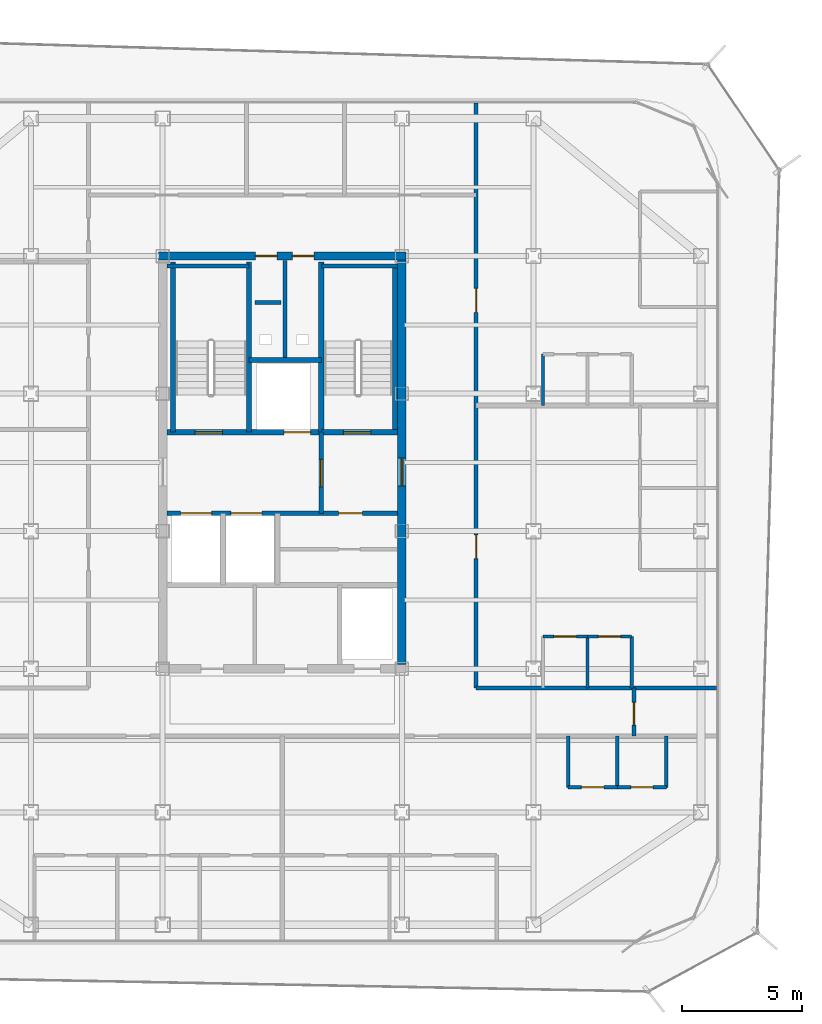
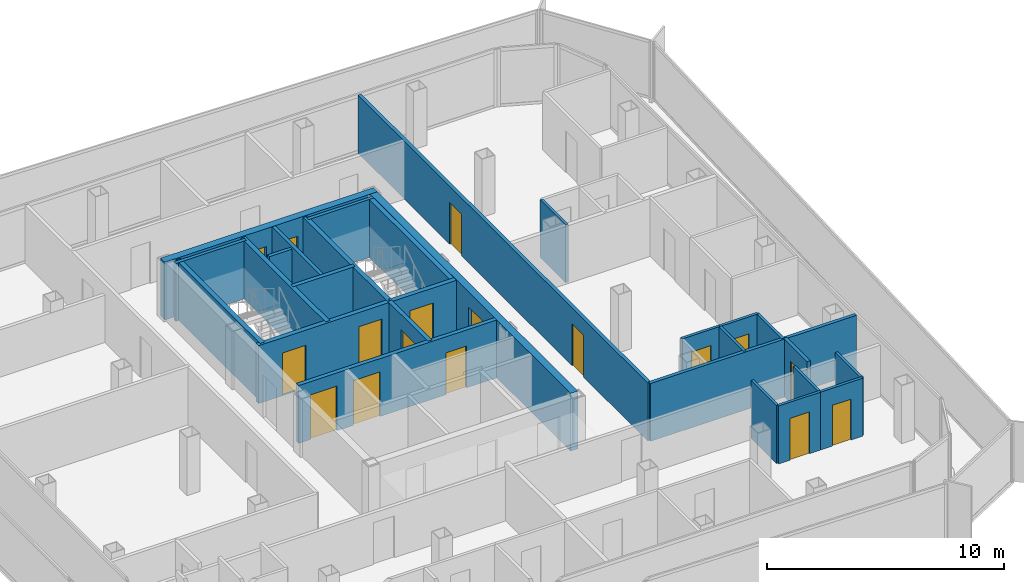
# One storey, part 11 of 15: 29 walls, 17 doors, 17 openings.
"""IFC4 building model written with IfcOpenShell, lengths in metres."""

import ifcopenshell
import ifcopenshell.guid

model = None  # the IFC model being written
_history = None  # IfcOwnerHistory: only IFC2X3 demands one
_inside = {}  # id of a spatial element -> (the spatial element, [elements in it])
_under = {}  # id of a project, library or spatial element -> (it, [spatial elements below it])
_declared = {}  # id of a project -> (the project, [libraries it declares])
_typed = {}  # id of a type object -> (the type object, [elements of that type])
_made_of = {}  # id of a material, layer set ... -> (it, [elements and type objects made of it])


def new_model(schema):
    """Start an empty IFC model of exactly this schema.

    Asked for "IFC4X3", IfcOpenShell would pick the latest addendum, in which some entities
    have other attributes; the version numbers below select the first issue.
    IFC2X3 requires an IfcOwnerHistory on every rooted entity: one is made here for all.
    """
    global model, _history
    if schema == "IFC4X3":
        model = ifcopenshell.file(schema_version=(4, 3, 0, 0))
    else:
        model = ifcopenshell.file(schema=schema)
    _inside.clear()
    _under.clear()
    _declared.clear()
    _typed.clear()
    _made_of.clear()
    _history = None
    if model.schema == "IFC2X3":
        org = make("IfcOrganization", Name="unknown")
        user = make(
            "IfcPersonAndOrganization",
            ThePerson=make("IfcPerson", FamilyName="unknown"),
            TheOrganization=org,
        )
        app = make(
            "IfcApplication",
            ApplicationDeveloper=org,
            Version="unknown",
            ApplicationFullName="unknown",
            ApplicationIdentifier="unknown",
        )
        _history = make(
            "IfcOwnerHistory",
            OwningUser=user,
            OwningApplication=app,
            ChangeAction="ADDED",
            CreationDate=0,
        )
    return model


def make(cls, **values):
    """One entity of the class cls with the attributes given. An attribute that is None is left unset."""
    return model.create_entity(
        cls, **{name: value for name, value in values.items() if value is not None}
    )


def rooted(cls, **values):
    """An entity with a GlobalId (a new one), such as an element, a storey or a relation."""
    return make(cls, GlobalId=ifcopenshell.guid.new(), OwnerHistory=_history, **values)


def si_unit(unit_type, name, prefix=None):
    """IfcSIUnit, for example si_unit("LENGTHUNIT", "METRE", prefix="MILLI")."""
    return make("IfcSIUnit", UnitType=unit_type, Prefix=prefix, Name=name)


def assignment(units):
    """IfcUnitAssignment: the units of a project."""
    return None if units is None else make("IfcUnitAssignment", Units=units)


def point(xyz):
    """IfcCartesianPoint."""
    return None if xyz is None else make("IfcCartesianPoint", Coordinates=xyz)


def direction(xyz):
    """IfcDirection."""
    return None if xyz is None else make("IfcDirection", DirectionRatios=xyz)


def frame(location, z_axis=None, x_axis=None):
    """IfcAxis2Placement3D, a coordinate frame: its origin and axes. An axis left out is left unset."""
    return make(
        "IfcAxis2Placement3D",
        Location=point(location),
        Axis=direction(z_axis),
        RefDirection=direction(x_axis),
    )


def frame_2d(location, x_axis=None):
    """IfcAxis2Placement2D, a coordinate frame in the plane: its origin and x axis."""
    return make(
        "IfcAxis2Placement2D", Location=point(location), RefDirection=direction(x_axis)
    )


def origin():
    """The frame at (0, 0, 0) with its axes left unset."""
    return frame((0.0, 0.0, 0.0))


def place(relative_to, where):
    """IfcLocalPlacement: puts the frame where relative to a parent placement (None: the world)."""
    return make(
        "IfcLocalPlacement", PlacementRelTo=relative_to, RelativePlacement=where
    )


def context(
    kind, dimensions, precision=None, world=None, true_north=None, identifier=None
):
    """IfcGeometricRepresentationContext, for example the 3D "Model" context."""
    return make(
        "IfcGeometricRepresentationContext",
        ContextIdentifier=identifier,
        ContextType=kind,
        CoordinateSpaceDimension=dimensions,
        Precision=precision,
        WorldCoordinateSystem=world,
        TrueNorth=true_north,
    )


def subcontext(parent, identifier, kind, view, scale=None):
    """IfcGeometricRepresentationSubContext, for example "Body" below "Model"."""
    return make(
        "IfcGeometricRepresentationSubContext",
        ContextIdentifier=identifier,
        ContextType=kind,
        ParentContext=parent,
        TargetScale=scale,
        TargetView=view,
    )


def project(units=None, contexts=None):
    """IfcProject with its units and contexts."""
    return rooted(
        "IfcProject",
        Name="project",
        RepresentationContexts=contexts,
        UnitsInContext=assignment(units),
    )


def spatial(cls, under=None, at=None, **own):
    """A site, building, storey or space (cls), placed at a placement, below another one or the project."""
    s = rooted(cls, ObjectPlacement=at, **own)
    if under is not None:
        _under.setdefault(under.id(), (under, []))[1].append(s)
    return s


def profile(cls, at=None, kind="AREA", **sizes):
    """A parametric profile (cls). Its sizes go by their IFC names, for example OverallWidth=200.0."""
    return make(cls, ProfileType=kind, Position=at, **sizes)


def rectangle(**sizes):
    """IfcRectangleProfileDef."""
    return profile("IfcRectangleProfileDef", **sizes)


def extrude(swept, where, along, depth):
    """IfcExtrudedAreaSolid: the profile swept, set in the frame where, extruded along a direction by depth."""
    return make(
        "IfcExtrudedAreaSolid",
        SweptArea=swept,
        Position=where,
        ExtrudedDirection=direction(along),
        Depth=depth,
    )


def shape(context_of_items, identifier, shape_type, items):
    """IfcShapeRepresentation: the items that make up one representation, for example the "Body"."""
    return make(
        "IfcShapeRepresentation",
        ContextOfItems=context_of_items,
        RepresentationIdentifier=identifier,
        RepresentationType=shape_type,
        Items=items,
    )


def material(Name=None, Category=None):
    """IfcMaterial."""
    return make("IfcMaterial", Name=Name, Category=Category)


def layer(
    of_material, thickness, ventilated=None, Name=None, Category=None, Priority=None
):
    """IfcMaterialLayer: one layer of a wall or slab, of a material (None: an air gap)."""
    return make(
        "IfcMaterialLayer",
        Material=of_material,
        LayerThickness=thickness,
        IsVentilated=ventilated,
        Name=Name,
        Category=Category,
        Priority=Priority,
    )


def layer_set(layers, Name=None):
    """IfcMaterialLayerSet."""
    return make("IfcMaterialLayerSet", MaterialLayers=layers, LayerSetName=Name)


def made_of(thing, what):
    """Note that an element or type object is made of a material, layer set ...; save() writes the relation."""
    if what is not None:
        _made_of.setdefault(what.id(), (what, []))[1].append(thing)
    return thing


def type_object(cls, material=None, **own):
    """A type object (cls), such as IfcWallType, which elements share."""
    return made_of(rooted(cls, **own), material)


def element(
    cls,
    number,
    at=None,
    inside=None,
    cuts=None,
    type_object=None,
    material=None,
    context=None,
    identifier="Body",
    shape_type=None,
    held_by="IfcProductDefinitionShape",
    body=None,
    shapes=None,
    **own,
):
    """One element of the class cls, such as IfcWall. Its Tag is "e" and its number.

    at: its placement. inside: the storey or other place that contains it. cuts: it is an
    opening in that element (IfcRelVoidsElement). A single representation is given by context,
    identifier, shape_type and body (its items); several are given by shapes. held_by: the class
    of the entity that holds the representations. save() writes the other relations.
    """
    e = rooted(cls, Tag="e%d" % number, ObjectPlacement=at, **own)
    if body is not None:
        shapes = [shape(context, identifier, shape_type, body)]
    if shapes is not None:
        e.Representation = make(held_by, Representations=shapes)
    if inside is not None:
        _inside.setdefault(inside.id(), (inside, []))[1].append(e)
    if cuts is not None:
        rooted(
            "IfcRelVoidsElement", RelatingBuildingElement=cuts, RelatedOpeningElement=e
        )
    if type_object is not None:
        _typed.setdefault(type_object.id(), (type_object, []))[1].append(e)
    return made_of(e, material)


def fill(opening, filler):
    """IfcRelFillsElement: the door or window that sits in an opening."""
    return rooted(
        "IfcRelFillsElement",
        RelatingOpeningElement=opening,
        RelatedBuildingElement=filler,
    )


def aggregate(whole, parts):
    """IfcRelAggregates: a whole, such as a stair, and the parts it consists of."""
    return rooted("IfcRelAggregates", RelatingObject=whole, RelatedObjects=parts)


def save(model, path):
    """Write the relations noted so far, then the file.

    IfcRelAggregates (storeys below a building ...), IfcRelContainedInSpatialStructure (elements
    in a storey), IfcRelDefinesByType, IfcRelAssociatesMaterial and IfcRelDeclares: one each for
    every whole, place, type object, material and project.
    """
    for whole, parts in _under.values():
        aggregate(whole, parts)
    for where, things in _inside.values():
        rooted(
            "IfcRelContainedInSpatialStructure",
            RelatedElements=things,
            RelatingStructure=where,
        )
    for kind, things in _typed.values():
        rooted("IfcRelDefinesByType", RelatedObjects=things, RelatingType=kind)
    for what, things in _made_of.values():
        rooted("IfcRelAssociatesMaterial", RelatedObjects=things, RelatingMaterial=what)
    for by, libraries in _declared.values():
        rooted("IfcRelDeclares", RelatingContext=by, RelatedDefinitions=libraries)
    model.write(path)


model = new_model("IFC4")

# Units and contexts
model_context = context("Model", 3, precision=1e-05, world=origin(), true_north=direction((0.0, 1.0)))
body_context = subcontext(model_context, "Body", "Model", "MODEL_VIEW")
ifc_project = project(units=[si_unit("LENGTHUNIT", "METRE"), si_unit("AREAUNIT", "SQUARE_METRE"), si_unit("VOLUMEUNIT", "CUBIC_METRE"), si_unit("PLANEANGLEUNIT", "RADIAN"), si_unit("MASSUNIT", "GRAM", prefix="KILO")], contexts=[model_context])

# Site, building, storey
site_placement = place(None, origin())
site = spatial("IfcSite", under=ifc_project, at=site_placement, CompositionType="ELEMENT")
building_placement = place(site_placement, origin())
building = spatial("IfcBuilding", under=site, at=building_placement, Name="Kolveth Station Tower", CompositionType="ELEMENT")
storey_placement = place(building_placement, frame((0.0, 0.0, 242.5)))
storey = spatial("IfcBuildingStorey", under=building, at=storey_placement, Name="L69", CompositionType="ELEMENT", Elevation=242.5)

# Wall, openings, doors
ifc_material_1 = material(Name="Concrete C50/60", Category="concrete")
ifc_layer_1 = layer(ifc_material_1, 0.35009765625)
ifc_layer_set_1 = layer_set([ifc_layer_1], Name="Concrete C50/60")
wall_type_1 = type_object("IfcWallType", Name="Wall_CW-350", PredefinedType="SHEAR", material=ifc_layer_set_1)
wall_1_placement = place(storey_placement, frame((18.324951171875, 28.75, 0.0), z_axis=(0.0, 0.0, 1.0), x_axis=(1.0, 0.0, 0.0)))
wall_1 = element("IfcWall", 1, at=wall_1_placement, inside=storey, type_object=wall_type_1, Name="L69 Core RC Shear Wall N", PredefinedType="SHEAR", context=body_context, shape_type="SweptSolid", body=[
    extrude(rectangle(XDim=10.35009765625, YDim=0.35009765625, at=frame_2d((5.175048828125, 0.0))), origin(), (0.0, 0.0, 1.0), 2.97998046875),
])
opening_1_placement = place(wall_1_placement, frame((4.054931640625, 0.0, 0.0)))
opening_1 = element("IfcOpeningElement", 2, at=opening_1_placement, cuts=wall_1, Name="Opening RD1", PredefinedType="OPENING", context=body_context, shape_type="SweptSolid", body=[
    extrude(rectangle(XDim=0.89990234375, YDim=2.050048828125, at=frame_2d((0.449951171875, 1.02490234375))), frame((0.0, 0.18505859375, 0.0), z_axis=(0.0, -1.0, 0.0), x_axis=(1.0, 0.0, 0.0)), (0.0, 0.0, 1.0), 0.3701171875),
])
opening_2_placement = place(wall_1_placement, frame((5.594970703125, 0.0, 0.0)))
opening_2 = element("IfcOpeningElement", 3, at=opening_2_placement, cuts=wall_1, Name="Opening RD1", PredefinedType="OPENING", context=body_context, shape_type="SweptSolid", body=[
    extrude(rectangle(XDim=0.89990234375, YDim=2.050048828125, at=frame_2d((0.449951171875, 1.02490234375))), frame((0.0, 0.18505859375, 0.0), z_axis=(0.0, -1.0, 0.0), x_axis=(1.0, 0.0, 0.0)), (0.0, 0.0, 1.0), 0.3701171875),
])
ifc_material_2 = material(Name="Fire-rated Steel S355 riser access leaf", Category="steel")
door_type_1 = type_object("IfcDoorType", Name="Door_RD1", OperationType="NOTDEFINED", PredefinedType="DOOR", material=ifc_material_2)
door_1_placement = place(opening_1_placement, origin())
door_1 = element("IfcDoor", 4, at=door_1_placement, inside=storey, type_object=door_type_1, Name="L69 Electrical Riser Access Door", OperationType="SINGLE_SWING_LEFT", OverallHeight=2.050048828125, OverallWidth=0.89990234375, PredefinedType="DOOR", context=body_context, shape_type="SweptSolid", body=[
    extrude(rectangle(XDim=0.89990234375, YDim=2.050048828125, at=frame_2d((0.449951171875, 1.02490234375))), frame((0.0, 0.02490234375, 0.0), z_axis=(0.0, -1.0, 0.0), x_axis=(1.0, 0.0, 0.0)), (0.0, 0.0, 1.0), 0.050048828125),
])
fill(opening_1, door_1)
door_2_placement = place(opening_2_placement, origin())
door_2 = element("IfcDoor", 5, at=door_2_placement, inside=storey, type_object=door_type_1, Name="L69 Smoke Duct Access Door", OperationType="SINGLE_SWING_RIGHT", OverallHeight=2.050048828125, OverallWidth=0.89990234375, PredefinedType="DOOR", context=body_context, shape_type="SweptSolid", body=[
    extrude(rectangle(XDim=0.89990234375, YDim=2.050048828125, at=frame_2d((0.449951171875, 1.02490234375))), frame((0.0, 0.02490234375, 0.0), z_axis=(0.0, -1.0, 0.0), x_axis=(1.0, 0.0, 0.0)), (0.0, 0.0, 1.0), 0.050048828125),
])
fill(opening_2, door_2)

# Wall, opening, door
wall_2_placement = place(storey_placement, frame((28.5, 11.675048828125, 0.0), z_axis=(0.0, 0.0, 1.0), x_axis=(0.0, 1.0, 0.0)))
wall_2 = element("IfcWall", 6, at=wall_2_placement, inside=storey, type_object=wall_type_1, Name="L69 Core RC Shear Wall E", PredefinedType="SHEAR", context=body_context, shape_type="SweptSolid", body=[
    extrude(rectangle(XDim=16.89990234375, YDim=0.35009765625, at=frame_2d((8.449951171875, 0.0))), origin(), (0.0, 0.0, 1.0), 2.97998046875),
])
opening_3_placement = place(wall_2_placement, frame((7.47509765625, 0.0, 0.0)))
opening_3 = element("IfcOpeningElement", 7, at=opening_3_placement, cuts=wall_2, Name="Opening FD1", PredefinedType="OPENING", context=body_context, shape_type="SweptSolid", body=[
    extrude(rectangle(XDim=1.14990234375, YDim=2.199951171875, at=frame_2d((0.574951171875, 1.10009765625))), frame((0.0, 0.18505859375, 0.0), z_axis=(0.0, -1.0, 0.0), x_axis=(1.0, 0.0, 0.0)), (0.0, 0.0, 1.0), 0.3701171875),
])
ifc_material_3 = material(Name="Fire-rated Steel S355 leaf and frame", Category="steel")
door_type_2 = type_object("IfcDoorType", Name="Door_FD1", OperationType="NOTDEFINED", PredefinedType="DOOR", material=ifc_material_3)
door_3_placement = place(opening_3_placement, origin())
door_3 = element("IfcDoor", 8, at=door_3_placement, inside=storey, type_object=door_type_2, Name="L69 East Corridor to Stair Lobby Door", OperationType="SINGLE_SWING_LEFT", OverallHeight=2.199951171875, OverallWidth=1.14990234375, PredefinedType="DOOR", context=body_context, shape_type="SweptSolid", body=[
    extrude(rectangle(XDim=1.14990234375, YDim=2.199951171875, at=frame_2d((0.574951171875, 1.10009765625))), frame((0.0, 0.02490234375, 0.0), z_axis=(0.0, -1.0, 0.0), x_axis=(1.0, 0.0, 0.0)), (0.0, 0.0, 1.0), 0.050048828125),
])
fill(opening_3, door_3)

ifc_material_4 = material(Name="Moisture-resistant gypsum partition")
ifc_layer_2 = layer(ifc_material_4, 0.135009765625)
ifc_layer_set_2 = layer_set([ifc_layer_2], Name="Moisture-resistant gypsum partition")
wall_type_2 = type_object("IfcWallType", Name="Wall_IW-135", PredefinedType="PARTITIONING", material=ifc_layer_set_2)
wall_3_placement = place(storey_placement, frame((35.449951171875, 6.550048828125, 0.0), z_axis=(0.0, 0.0, 1.0), x_axis=(1.0, 0.0, 0.0)))
wall_3 = element("IfcWall", 9, at=wall_3_placement, inside=storey, type_object=wall_type_2, Name="L69 Partition Wall WL-L69-A2-IBHK", PredefinedType="PARTITIONING", context=body_context, shape_type="SweptSolid", body=[
    extrude(rectangle(XDim=2.050048828125, YDim=0.135009765625, at=frame_2d((1.02490234375, 0.0))), origin(), (0.0, 0.0, 1.0), 2.97998046875),
])
opening_4_placement = place(wall_3_placement, frame((0.544921875, 0.0, 0.0)))
opening_4 = element("IfcOpeningElement", 10, at=opening_4_placement, cuts=wall_3, Name="Opening ID1", PredefinedType="OPENING", context=body_context, shape_type="SweptSolid", body=[
    extrude(rectangle(XDim=0.949951171875, YDim=2.14990234375, at=frame_2d((0.47509765625, 1.074951171875))), frame((0.0, 0.077392578125, 0.0), z_axis=(0.0, -1.0, 0.0), x_axis=(1.0, 0.0, 0.0)), (0.0, 0.0, 1.0), 0.155029296875),
])
ifc_material_5 = material(Name="Acoustic hardwood leaf and aluminium frame", Category="wood")
door_type_3 = type_object("IfcDoorType", Name="Door_ID1", OperationType="NOTDEFINED", PredefinedType="DOOR", material=ifc_material_5)
door_4_placement = place(opening_4_placement, origin())
door_4 = element("IfcDoor", 11, at=door_4_placement, inside=storey, type_object=door_type_3, Name="Penthouse Flat L69-A2 Kitchen Door", OperationType="SINGLE_SWING_LEFT", OverallHeight=2.14990234375, OverallWidth=0.949951171875, PredefinedType="DOOR", context=body_context, shape_type="SweptSolid", body=[
    extrude(rectangle(XDim=0.949951171875, YDim=2.14990234375, at=frame_2d((0.47509765625, 1.074951171875))), frame((0.0, 0.02490234375, 0.0), z_axis=(0.0, -1.0, 0.0), x_axis=(1.0, 0.0, 0.0)), (0.0, 0.0, 1.0), 0.050048828125),
])
fill(opening_4, door_4)

wall_4_placement = place(storey_placement, frame((37.5, 6.550048828125, 0.0), z_axis=(0.0, 0.0, 1.0), x_axis=(1.0, 0.0, 0.0)))
wall_4 = element("IfcWall", 12, at=wall_4_placement, inside=storey, type_object=wall_type_2, Name="L69 Partition Wall WL-L69-A2-IBHB", PredefinedType="PARTITIONING", context=body_context, shape_type="SweptSolid", body=[
    extrude(rectangle(XDim=2.050048828125, YDim=0.135009765625, at=frame_2d((1.02490234375, 0.0))), origin(), (0.0, 0.0, 1.0), 2.97998046875),
])
opening_5_placement = place(wall_4_placement, frame((0.56494140625, 0.0, 0.0)))
opening_5 = element("IfcOpeningElement", 13, at=opening_5_placement, cuts=wall_4, Name="Opening ID2", PredefinedType="OPENING", context=body_context, shape_type="SweptSolid", body=[
    extrude(rectangle(XDim=0.919921875, YDim=2.10009765625, at=frame_2d((0.4599609375, 1.050048828125))), frame((0.0, 0.077392578125, 0.0), z_axis=(0.0, -1.0, 0.0), x_axis=(1.0, 0.0, 0.0)), (0.0, 0.0, 1.0), 0.155029296875),
])
ifc_material_6 = material(Name="Moisture-resistant hardwood leaf", Category="wood")
door_type_4 = type_object("IfcDoorType", Name="Door_ID2", OperationType="NOTDEFINED", PredefinedType="DOOR", material=ifc_material_6)
door_5_placement = place(opening_5_placement, origin())
door_5 = element("IfcDoor", 14, at=door_5_placement, inside=storey, type_object=door_type_4, Name="Penthouse Flat L69-A2 Bathroom Door", OperationType="SINGLE_SWING_RIGHT", OverallHeight=2.10009765625, OverallWidth=0.919921875, PredefinedType="DOOR", context=body_context, shape_type="SweptSolid", body=[
    extrude(rectangle(XDim=0.919921875, YDim=2.10009765625, at=frame_2d((0.4599609375, 1.050048828125))), frame((0.0, 0.02490234375, 0.0), z_axis=(0.0, -1.0, 0.0), x_axis=(1.0, 0.0, 0.0)), (0.0, 0.0, 1.0), 0.050048828125),
])
fill(opening_5, door_5)

# Walls
for number, where, z_axis, x_axis, name in (
    (15, (35.449951171875, 6.550048828125, 0.0), (0.0, 0.0, 1.0), (0.0, 1.0, 0.0), "L69 Partition Wall WL-L69-A2-IBV0"),
    (16, (37.5, 6.550048828125, 0.0), (0.0, 0.0, 1.0), (0.0, 1.0, 0.0), "L69 Partition Wall WL-L69-A2-IBV1"),
    (17, (39.550048828125, 6.550048828125, 0.0), (0.0, 0.0, 1.0), (0.0, 1.0, 0.0), "L69 Partition Wall WL-L69-A2-IBV2"),
):
    element("IfcWall", number, at=place(storey_placement, frame(where, z_axis=z_axis, x_axis=x_axis)), inside=storey, type_object=wall_type_2, Name=name, PredefinedType="PARTITIONING", context=body_context, shape_type="SweptSolid", body=[
        extrude(rectangle(XDim=2.14990234375, YDim=0.135009765625, at=frame_2d((1.074951171875, 0.0))), origin(), (0.0, 0.0, 1.0), 2.97998046875),
    ])

# Wall, opening, door
wall_5_placement = place(storey_placement, frame((34.39990234375, 12.85009765625, 0.0), z_axis=(0.0, 0.0, 1.0), x_axis=(1.0, 0.0, 0.0)))
wall_5 = element("IfcWall", 18, at=wall_5_placement, inside=storey, type_object=wall_type_2, Name="L69 Partition Wall WL-L69-E1-IBHK", PredefinedType="PARTITIONING", context=body_context, shape_type="SweptSolid", body=[
    extrude(rectangle(XDim=1.85009765625, YDim=0.135009765625, at=frame_2d((0.925048828125, 0.0))), origin(), (0.0, 0.0, 1.0), 2.97998046875),
])
opening_6_placement = place(wall_5_placement, frame((0.445068359375, 0.0, 0.0)))
opening_6 = element("IfcOpeningElement", 19, at=opening_6_placement, cuts=wall_5, Name="Opening ID1", PredefinedType="OPENING", context=body_context, shape_type="SweptSolid", body=[
    extrude(rectangle(XDim=0.949951171875, YDim=2.14990234375, at=frame_2d((0.47509765625, 1.074951171875))), frame((0.0, 0.077392578125, 0.0), z_axis=(0.0, -1.0, 0.0), x_axis=(1.0, 0.0, 0.0)), (0.0, 0.0, 1.0), 0.155029296875),
])
door_6_placement = place(opening_6_placement, origin())
door_6 = element("IfcDoor", 20, at=door_6_placement, inside=storey, type_object=door_type_3, Name="Penthouse Flat L69-E1 Kitchen Door", OperationType="SINGLE_SWING_LEFT", OverallHeight=2.14990234375, OverallWidth=0.949951171875, PredefinedType="DOOR", context=body_context, shape_type="SweptSolid", body=[
    extrude(rectangle(XDim=0.949951171875, YDim=2.14990234375, at=frame_2d((0.47509765625, 1.074951171875))), frame((0.0, 0.02490234375, 0.0), z_axis=(0.0, -1.0, 0.0), x_axis=(1.0, 0.0, 0.0)), (0.0, 0.0, 1.0), 0.050048828125),
])
fill(opening_6, door_6)

wall_6_placement = place(storey_placement, frame((36.25, 12.85009765625, 0.0), z_axis=(0.0, 0.0, 1.0), x_axis=(1.0, 0.0, 0.0)))
wall_6 = element("IfcWall", 21, at=wall_6_placement, inside=storey, type_object=wall_type_2, Name="L69 Partition Wall WL-L69-E1-IBHB", PredefinedType="PARTITIONING", context=body_context, shape_type="SweptSolid", body=[
    extrude(rectangle(XDim=1.85009765625, YDim=0.135009765625, at=frame_2d((0.925048828125, 0.0))), origin(), (0.0, 0.0, 1.0), 2.97998046875),
])
opening_7_placement = place(wall_6_placement, frame((0.465087890625, 0.0, 0.0)))
opening_7 = element("IfcOpeningElement", 22, at=opening_7_placement, cuts=wall_6, Name="Opening ID2", PredefinedType="OPENING", context=body_context, shape_type="SweptSolid", body=[
    extrude(rectangle(XDim=0.919921875, YDim=2.10009765625, at=frame_2d((0.4599609375, 1.050048828125))), frame((0.0, 0.077392578125, 0.0), z_axis=(0.0, -1.0, 0.0), x_axis=(1.0, 0.0, 0.0)), (0.0, 0.0, 1.0), 0.155029296875),
])
door_7_placement = place(opening_7_placement, origin())
door_7 = element("IfcDoor", 23, at=door_7_placement, inside=storey, type_object=door_type_4, Name="Penthouse Flat L69-E1 Bathroom Door", OperationType="SINGLE_SWING_RIGHT", OverallHeight=2.10009765625, OverallWidth=0.919921875, PredefinedType="DOOR", context=body_context, shape_type="SweptSolid", body=[
    extrude(rectangle(XDim=0.919921875, YDim=2.10009765625, at=frame_2d((0.4599609375, 1.050048828125))), frame((0.0, 0.02490234375, 0.0), z_axis=(0.0, -1.0, 0.0), x_axis=(1.0, 0.0, 0.0)), (0.0, 0.0, 1.0), 0.050048828125),
])
fill(opening_7, door_7)

# Walls
for number, where, z_axis, x_axis, name in (
    (24, (36.25, 10.699951171875, 0.0), (0.0, 0.0, 1.0), (0.0, 1.0, 0.0), "L69 Partition Wall WL-L69-E1-IBV1"),
    (25, (38.10009765625, 10.699951171875, 0.0), (0.0, 0.0, 1.0), (0.0, 1.0, 0.0), "L69 Partition Wall WL-L69-E1-IBV2"),
):
    element("IfcWall", number, at=place(storey_placement, frame(where, z_axis=z_axis, x_axis=x_axis)), inside=storey, type_object=wall_type_2, Name=name, PredefinedType="PARTITIONING", context=body_context, shape_type="SweptSolid", body=[
        extrude(rectangle(XDim=2.150146484375, YDim=0.135009765625, at=frame_2d((1.0751953125, 0.0))), origin(), (0.0, 0.0, 1.0), 2.97998046875),
    ])
wall_7_placement = place(storey_placement, frame((34.39990234375, 22.5, 0.0), z_axis=(0.0, 0.0, 1.0), x_axis=(0.0, 1.0, 0.0)))
element("IfcWall", 26, at=wall_7_placement, inside=storey, type_object=wall_type_2, Name="L69 Partition Wall WL-L69-E2-IBV0", PredefinedType="PARTITIONING", context=body_context, shape_type="SweptSolid", body=[
    extrude(rectangle(XDim=2.14990234375, YDim=0.135009765625, at=frame_2d((1.074951171875, 0.0))), origin(), (0.0, 0.0, 1.0), 2.97998046875),
])
ifc_material_7 = material(Name="Acoustic double-stud gypsum partition")
ifc_layer_3 = layer(ifc_material_7, 0.1650390625)
ifc_layer_set_3 = layer_set([ifc_layer_3], Name="Acoustic double-stud gypsum partition")
wall_type_3 = type_object("IfcWallType", Name="Wall_IW-165", PredefinedType="PARTITIONING", material=ifc_layer_set_3)
wall_8_placement = place(storey_placement, frame((18.68505859375, 28.3349609375, 0.0), z_axis=(0.0, 0.0, 1.0), x_axis=(1.0, 0.0, 0.0)))
element("IfcWall", 27, at=wall_8_placement, inside=storey, type_object=wall_type_3, Name="L69 Stair Shaft Wall WL-L69-ST1-N", PredefinedType="PARTITIONING", context=body_context, shape_type="SweptSolid", body=[
    extrude(rectangle(XDim=3.425048828125, YDim=0.1650390625, at=frame_2d((1.71240234375, 0.0))), origin(), (0.0, 0.0, 1.0), 2.97998046875),
])
wall_9_placement = place(storey_placement, frame((25.1298828125, 28.3349609375, 0.0), z_axis=(0.0, 0.0, 1.0), x_axis=(1.0, 0.0, 0.0)))
element("IfcWall", 28, at=wall_9_placement, inside=storey, type_object=wall_type_3, Name="L69 Stair Shaft Wall WL-L69-ST2-N", PredefinedType="PARTITIONING", context=body_context, shape_type="SweptSolid", body=[
    extrude(rectangle(XDim=3.18505859375, YDim=0.1650390625, at=frame_2d((1.592529296875, 0.0))), origin(), (0.0, 0.0, 1.0), 2.97998046875),
])
wall_10_placement = place(storey_placement, frame((23.6201171875, 24.39990234375, 0.0), z_axis=(0.0, 0.0, 1.0), x_axis=(0.0, 1.0, 0.0)))
element("IfcWall", 29, at=wall_10_placement, inside=storey, type_object=wall_type_3, Name="L69 Partition Wall WL-L69-RSR-M", PredefinedType="PARTITIONING", context=body_context, shape_type="SweptSolid", body=[
    extrude(rectangle(XDim=4.1650390625, YDim=0.1650390625, at=frame_2d((2.08251953125, 0.0))), origin(), (0.0, 0.0, 1.0), 2.97998046875),
])
wall_11_placement = place(storey_placement, frame((31.60009765625, 10.699951171875, 0.0), z_axis=(0.0, 0.0, 1.0), x_axis=(1.0, 0.0, 0.0)))
element("IfcWall", 30, at=wall_11_placement, inside=storey, type_object=wall_type_3, Name="L69 Partition Wall WL-L69-RSET", PredefinedType="PARTITIONING", context=body_context, shape_type="SweptSolid", body=[
    extrude(rectangle(XDim=6.599853515625, YDim=0.1650390625, at=frame_2d((3.2998046875, 0.0))), origin(), (0.0, 0.0, 1.0), 2.97998046875),
])

# Wall, opening, door
wall_12_placement = place(storey_placement, frame((38.199951171875, 8.699951171875, 0.0), z_axis=(0.0, 0.0, 1.0), x_axis=(0.0, 1.0, 0.0)))
wall_12 = element("IfcWall", 31, at=wall_12_placement, inside=storey, type_object=wall_type_3, Name="L69 Partition Wall WL-L69-RSEE", PredefinedType="PARTITIONING", context=body_context, shape_type="SweptSolid", body=[
    extrude(rectangle(XDim=2.0, YDim=0.1650390625, at=frame_2d((1.0, 0.0))), origin(), (0.0, 0.0, 1.0), 2.97998046875),
])
opening_8_placement = place(wall_12_placement, frame((0.449951171875, 0.0, 0.0)))
opening_8 = element("IfcOpeningElement", 32, at=opening_8_placement, cuts=wall_12, Name="Opening ID1", PredefinedType="OPENING", context=body_context, shape_type="SweptSolid", body=[
    extrude(rectangle(XDim=0.949951171875, YDim=2.14990234375, at=frame_2d((0.47509765625, 1.074951171875))), frame((0.0, 0.092529296875, 0.0), z_axis=(0.0, -1.0, 0.0), x_axis=(1.0, 0.0, 0.0)), (0.0, 0.0, 1.0), 0.18505859375),
])
door_8_placement = place(opening_8_placement, origin())
door_8 = element("IfcDoor", 33, at=door_8_placement, inside=storey, type_object=door_type_3, Name="L69 Hobby Study Door", OperationType="SINGLE_SWING_LEFT", OverallHeight=2.14990234375, OverallWidth=0.949951171875, PredefinedType="DOOR", context=body_context, shape_type="SweptSolid", body=[
    extrude(rectangle(XDim=0.949951171875, YDim=2.14990234375, at=frame_2d((0.47509765625, 1.074951171875))), frame((0.0, 0.02490234375, 0.0), z_axis=(0.0, -1.0, 0.0), x_axis=(1.0, 0.0, 0.0)), (0.0, 0.0, 1.0), 0.050048828125),
])
fill(opening_8, door_8)

# Wall, openings, doors
wall_13_placement = place(storey_placement, frame((31.60009765625, 10.699951171875, 0.0), z_axis=(0.0, 0.0, 1.0), x_axis=(0.0, 1.0, 0.0)))
wall_13 = element("IfcWall", 34, at=wall_13_placement, inside=storey, type_object=wall_type_3, Name="L69 Partition Wall WL-L69-RE", PredefinedType="PARTITIONING", context=body_context, shape_type="SweptSolid", body=[
    extrude(rectangle(XDim=24.43994140625, YDim=0.1650390625, at=frame_2d((12.219970703125, 0.0))), origin(), (0.0, 0.0, 1.0), 2.97998046875),
])
opening_9_placement = place(wall_13_placement, frame((5.39990234375, 0.0, 0.0)))
opening_9 = element("IfcOpeningElement", 35, at=opening_9_placement, cuts=wall_13, Name="Opening FD3", PredefinedType="OPENING", context=body_context, shape_type="SweptSolid", body=[
    extrude(rectangle(XDim=1.0, YDim=2.14990234375, at=frame_2d((0.5, 1.074951171875))), frame((0.0, 0.092529296875, 0.0), z_axis=(0.0, -1.0, 0.0), x_axis=(1.0, 0.0, 0.0)), (0.0, 0.0, 1.0), 0.18505859375),
])
opening_10_placement = place(wall_13_placement, frame((15.699951171875, 0.0, 0.0)))
opening_10 = element("IfcOpeningElement", 36, at=opening_10_placement, cuts=wall_13, Name="Opening FD3", PredefinedType="OPENING", context=body_context, shape_type="SweptSolid", body=[
    extrude(rectangle(XDim=1.0, YDim=2.14990234375, at=frame_2d((0.5, 1.074951171875))), frame((0.0, 0.092529296875, 0.0), z_axis=(0.0, -1.0, 0.0), x_axis=(1.0, 0.0, 0.0)), (0.0, 0.0, 1.0), 0.18505859375),
])
ifc_material_8 = material(Name="Fire-rated hardwood leaf and aluminium frame", Category="wood")
door_type_5 = type_object("IfcDoorType", Name="Door_FD3", OperationType="NOTDEFINED", PredefinedType="DOOR", material=ifc_material_8)
door_9_placement = place(opening_9_placement, frame((1.0, 0.0, 0.0), z_axis=(0.0, 0.0, 1.0), x_axis=(-1.0, 0.0, 0.0)))
door_9 = element("IfcDoor", 37, at=door_9_placement, inside=storey, type_object=door_type_5, Name="Penthouse Flat L69-E1 Entrance Door", OperationType="SINGLE_SWING_LEFT", OverallHeight=2.14990234375, OverallWidth=1.0, PredefinedType="DOOR", context=body_context, shape_type="SweptSolid", body=[
    extrude(rectangle(XDim=1.0, YDim=2.14990234375, at=frame_2d((0.5, 1.074951171875))), frame((0.0, 0.02490234375, 0.0), z_axis=(0.0, -1.0, 0.0), x_axis=(1.0, 0.0, 0.0)), (0.0, 0.0, 1.0), 0.050048828125),
])
fill(opening_9, door_9)
door_10_placement = place(opening_10_placement, frame((1.0, 0.0, 0.0), z_axis=(0.0, 0.0, 1.0), x_axis=(-1.0, 0.0, 0.0)))
door_10 = element("IfcDoor", 38, at=door_10_placement, inside=storey, type_object=door_type_5, Name="Penthouse Flat L69-E2 Entrance Door", OperationType="SINGLE_SWING_LEFT", OverallHeight=2.14990234375, OverallWidth=1.0, PredefinedType="DOOR", context=body_context, shape_type="SweptSolid", body=[
    extrude(rectangle(XDim=1.0, YDim=2.14990234375, at=frame_2d((0.5, 1.074951171875))), frame((0.0, 0.02490234375, 0.0), z_axis=(0.0, -1.0, 0.0), x_axis=(1.0, 0.0, 0.0)), (0.0, 0.0, 1.0), 0.050048828125),
])
fill(opening_10, door_10)

# Walls
wall_14_placement = place(storey_placement, frame((38.199951171875, 10.699951171875, 0.0), z_axis=(0.0, 0.0, 1.0), x_axis=(1.0, 0.0, 0.0)))
element("IfcWall", 39, at=wall_14_placement, inside=storey, type_object=wall_type_3, Name="L69 Partition Wall WL-L69-ESTN", PredefinedType="PARTITIONING", context=body_context, shape_type="SweptSolid", body=[
    extrude(rectangle(XDim=3.43994140625, YDim=0.1650390625, at=frame_2d((1.719970703125, 0.0))), origin(), (0.0, 0.0, 1.0), 2.97998046875),
])
wall_15_placement = place(storey_placement, frame((22.35009765625, 26.800048828125, 0.0), z_axis=(0.0, 0.0, 1.0), x_axis=(1.0, 0.0, 0.0)))
element("IfcWall", 40, at=wall_15_placement, inside=storey, type_object=wall_type_3, Name="L69 Acoustic Riser Dry-Lining Wall", PredefinedType="PARTITIONING", context=body_context, shape_type="SweptSolid", body=[
    extrude(rectangle(XDim=1.099853515625, YDim=0.1650390625, at=frame_2d((0.5498046875, 0.0))), origin(), (0.0, 0.0, 1.0), 2.97998046875),
])
ifc_material_9 = material(Name="Acoustic fire-rated gypsum blockwork", Category="masonry")
ifc_layer_4 = layer(ifc_material_9, 0.199951171875)
ifc_layer_set_4 = layer_set([ifc_layer_4], Name="Acoustic fire-rated gypsum blockwork")
wall_type_4 = type_object("IfcWallType", Name="Wall_IW-200", PredefinedType="PARTITIONING", material=ifc_layer_set_4)
wall_16_placement = place(storey_placement, frame((22.110107421875, 24.39990234375, 0.0), z_axis=(0.0, 0.0, 1.0), x_axis=(1.0, 0.0, 0.0)))
element("IfcWall", 41, at=wall_16_placement, inside=storey, type_object=wall_type_4, Name="L69 Partition Wall WL-L69-RSR-S", PredefinedType="PARTITIONING", context=body_context, shape_type="SweptSolid", body=[
    extrude(rectangle(XDim=3.019775390625, YDim=0.199951171875, at=frame_2d((1.509765625, 0.0))), origin(), (0.0, 0.0, 1.0), 2.97998046875),
])

# Wall, opening, door
wall_17_placement = place(storey_placement, frame((25.1298828125, 18.0, 0.0), z_axis=(0.0, 0.0, 1.0), x_axis=(0.0, 1.0, 0.0)))
wall_17 = element("IfcWall", 42, at=wall_17_placement, inside=storey, type_object=wall_type_4, Name="L69 Partition Wall WL-L69-FFL-E", PredefinedType="PARTITIONING", context=body_context, shape_type="SweptSolid", body=[
    extrude(rectangle(XDim=3.389892578125, YDim=0.199951171875, at=frame_2d((1.69482421875, 0.0))), origin(), (0.0, 0.0, 1.0), 2.97998046875),
])
opening_11_placement = place(wall_17_placement, frame((1.10009765625, 0.0, 0.0)))
opening_11 = element("IfcOpeningElement", 43, at=opening_11_placement, cuts=wall_17, Name="Opening FD1", PredefinedType="OPENING", context=body_context, shape_type="SweptSolid", body=[
    extrude(rectangle(XDim=1.14990234375, YDim=2.199951171875, at=frame_2d((0.574951171875, 1.10009765625))), frame((0.0, 0.10986328125, 0.0), z_axis=(0.0, -1.0, 0.0), x_axis=(1.0, 0.0, 0.0)), (0.0, 0.0, 1.0), 0.219970703125),
])
door_11_placement = place(opening_11_placement, origin())
door_11 = element("IfcDoor", 44, at=door_11_placement, inside=storey, type_object=door_type_2, Name="L69 Firefighting to Stair Lobby Door", OperationType="SINGLE_SWING_RIGHT", OverallHeight=2.199951171875, OverallWidth=1.14990234375, PredefinedType="DOOR", context=body_context, shape_type="SweptSolid", body=[
    extrude(rectangle(XDim=1.14990234375, YDim=2.199951171875, at=frame_2d((0.574951171875, 1.10009765625))), frame((0.0, 0.02490234375, 0.0), z_axis=(0.0, -1.0, 0.0), x_axis=(1.0, 0.0, 0.0)), (0.0, 0.0, 1.0), 0.050048828125),
])
fill(opening_11, door_11)

# Wall, openings, doors
wall_18_placement = place(storey_placement, frame((18.68505859375, 18.0, 0.0), z_axis=(0.0, 0.0, 1.0), x_axis=(1.0, 0.0, 0.0)))
wall_18 = element("IfcWall", 45, at=wall_18_placement, inside=storey, type_object=wall_type_4, Name="L69 Partition Wall WL-L69-FFL-S", PredefinedType="PARTITIONING", context=body_context, shape_type="SweptSolid", body=[
    extrude(rectangle(XDim=9.6298828125, YDim=0.199951171875, at=frame_2d((4.81494140625, 0.0))), origin(), (0.0, 0.0, 1.0), 2.97998046875),
])
opening_12_placement = place(wall_18_placement, frame((0.56494140625, 0.0, 0.0)))
opening_12 = element("IfcOpeningElement", 46, at=opening_12_placement, cuts=wall_18, Name="Opening LD2", PredefinedType="OPENING", context=body_context, shape_type="SweptSolid", body=[
    extrude(rectangle(XDim=1.300048828125, YDim=2.300048828125, at=frame_2d((0.64990234375, 1.14990234375))), frame((0.0, 0.10986328125, 0.0), z_axis=(0.0, -1.0, 0.0), x_axis=(1.0, 0.0, 0.0)), (0.0, 0.0, 1.0), 0.219970703125),
])
opening_13_placement = place(wall_18_placement, frame((2.6650390625, 0.0, 0.0)))
opening_13 = element("IfcOpeningElement", 47, at=opening_13_placement, cuts=wall_18, Name="Opening LD2", PredefinedType="OPENING", context=body_context, shape_type="SweptSolid", body=[
    extrude(rectangle(XDim=1.300048828125, YDim=2.300048828125, at=frame_2d((0.64990234375, 1.14990234375))), frame((0.0, 0.10986328125, 0.0), z_axis=(0.0, -1.0, 0.0), x_axis=(1.0, 0.0, 0.0)), (0.0, 0.0, 1.0), 0.219970703125),
])
opening_14_placement = place(wall_18_placement, frame((7.1650390625, 0.0, 0.0)))
opening_14 = element("IfcOpeningElement", 48, at=opening_14_placement, cuts=wall_18, Name="Opening FD3", PredefinedType="OPENING", context=body_context, shape_type="SweptSolid", body=[
    extrude(rectangle(XDim=1.0, YDim=2.14990234375, at=frame_2d((0.5, 1.074951171875))), frame((0.0, 0.10986328125, 0.0), z_axis=(0.0, -1.0, 0.0), x_axis=(1.0, 0.0, 0.0)), (0.0, 0.0, 1.0), 0.219970703125),
])
door_12_placement = place(opening_14_placement, frame((1.0, 0.0, 0.0), z_axis=(0.0, 0.0, 1.0), x_axis=(-1.0, 0.0, 0.0)))
door_12 = element("IfcDoor", 49, at=door_12_placement, inside=storey, type_object=door_type_5, Name="L69 Core Linen and Supply Store Door", OperationType="SINGLE_SWING_LEFT", OverallHeight=2.14990234375, OverallWidth=1.0, PredefinedType="DOOR", context=body_context, shape_type="SweptSolid", body=[
    extrude(rectangle(XDim=1.0, YDim=2.14990234375, at=frame_2d((0.5, 1.074951171875))), frame((0.0, 0.02490234375, 0.0), z_axis=(0.0, -1.0, 0.0), x_axis=(1.0, 0.0, 0.0)), (0.0, 0.0, 1.0), 0.050048828125),
])
fill(opening_14, door_12)
ifc_material_10 = material(Name="Firefighting stainless steel sliding landing doors", Category="steel")
door_type_6 = type_object("IfcDoorType", Name="Door_LD2", OperationType="NOTDEFINED", PredefinedType="DOOR", material=ifc_material_10)
door_13_placement = place(opening_12_placement, origin())
door_13 = element("IfcDoor", 50, at=door_13_placement, inside=storey, type_object=door_type_6, Name="L69 Firefighting Lift FF1 Landing Door", OperationType="DOUBLE_DOOR_SLIDING", OverallHeight=2.300048828125, OverallWidth=1.300048828125, PredefinedType="DOOR", context=body_context, shape_type="SweptSolid", body=[
    extrude(rectangle(XDim=1.300048828125, YDim=2.300048828125, at=frame_2d((0.64990234375, 1.14990234375))), frame((0.0, 0.02490234375, 0.0), z_axis=(0.0, -1.0, 0.0), x_axis=(1.0, 0.0, 0.0)), (0.0, 0.0, 1.0), 0.050048828125),
])
fill(opening_12, door_13)
door_14_placement = place(opening_13_placement, origin())
door_14 = element("IfcDoor", 51, at=door_14_placement, inside=storey, type_object=door_type_6, Name="L69 Firefighting Lift FF2 Landing Door", OperationType="DOUBLE_DOOR_SLIDING", OverallHeight=2.300048828125, OverallWidth=1.300048828125, PredefinedType="DOOR", context=body_context, shape_type="SweptSolid", body=[
    extrude(rectangle(XDim=1.300048828125, YDim=2.300048828125, at=frame_2d((0.64990234375, 1.14990234375))), frame((0.0, 0.02490234375, 0.0), z_axis=(0.0, -1.0, 0.0), x_axis=(1.0, 0.0, 0.0)), (0.0, 0.0, 1.0), 0.050048828125),
])
fill(opening_13, door_14)

# Walls
ifc_material_11 = material(Name="Concrete C40/50", Category="concrete")
ifc_layer_5 = layer(ifc_material_11, 0.219970703125)
ifc_layer_set_5 = layer_set([ifc_layer_5], Name="Concrete C40/50")
wall_type_5 = type_object("IfcWallType", Name="Wall_IW-220", PredefinedType="SOLIDWALL", material=ifc_layer_set_5)
for number, where, z_axis, x_axis, name in (
    (52, (18.929931640625, 21.389892578125, 0.0), (0.0, 0.0, 1.0), (0.0, 1.0, 0.0), "L69 Stair Shaft Wall WL-L69-ST1-W"),
    (53, (22.110107421875, 21.389892578125, 0.0), (0.0, 0.0, 1.0), (0.0, 1.0, 0.0), "L69 Stair Shaft Wall WL-L69-ST1-E"),
    (54, (25.1298828125, 21.389892578125, 0.0), (0.0, 0.0, 1.0), (0.0, 1.0, 0.0), "L69 Stair Shaft Wall WL-L69-ST2-W"),
):
    element("IfcWall", number, at=place(storey_placement, frame(where, z_axis=z_axis, x_axis=x_axis)), inside=storey, type_object=wall_type_5, Name=name, PredefinedType="SOLIDWALL", context=body_context, shape_type="SweptSolid", body=[
        extrude(rectangle(XDim=7.110107421875, YDim=0.219970703125, at=frame_2d((3.55517578125, 0.0))), origin(), (0.0, 0.0, 1.0), 2.97998046875),
    ])
wall_19_placement = place(storey_placement, frame((28.2099609375, 21.389892578125, 0.0), z_axis=(0.0, 0.0, 1.0), x_axis=(0.0, 1.0, 0.0)))
element("IfcWall", 55, at=wall_19_placement, inside=storey, type_object=wall_type_5, Name="L69 Stair Shaft Wall WL-L69-ST2-E", PredefinedType="SOLIDWALL", context=body_context, shape_type="SweptSolid", body=[
    extrude(rectangle(XDim=6.945068359375, YDim=0.219970703125, at=frame_2d((3.47265625, 0.0))), origin(), (0.0, 0.0, 1.0), 2.97998046875),
])

# Wall, openings, doors
wall_20_placement = place(storey_placement, frame((18.68505859375, 21.389892578125, 0.0), z_axis=(0.0, 0.0, 1.0), x_axis=(1.0, 0.0, 0.0)))
wall_20 = element("IfcWall", 56, at=wall_20_placement, inside=storey, type_object=wall_type_5, Name="L69 Stair Shaft Wall WL-L69-ST1-S", PredefinedType="SOLIDWALL", context=body_context, shape_type="SweptSolid", body=[
    extrude(rectangle(XDim=6.44482421875, YDim=0.219970703125, at=frame_2d((3.222412109375, 0.0))), origin(), (0.0, 0.0, 1.0), 2.97998046875),
])
opening_15_placement = place(wall_20_placement, frame((1.1650390625, 0.0, 0.0)))
opening_15 = element("IfcOpeningElement", 57, at=opening_15_placement, cuts=wall_20, Name="Opening FD1", PredefinedType="OPENING", context=body_context, shape_type="SweptSolid", body=[
    extrude(rectangle(XDim=1.14990234375, YDim=2.199951171875, at=frame_2d((0.574951171875, 1.10009765625))), frame((0.0, 0.119873046875, 0.0), z_axis=(0.0, -1.0, 0.0), x_axis=(1.0, 0.0, 0.0)), (0.0, 0.0, 1.0), 0.239990234375),
])
opening_16_placement = place(wall_20_placement, frame((4.89501953125, 0.0, 0.0)))
opening_16 = element("IfcOpeningElement", 58, at=opening_16_placement, cuts=wall_20, Name="Opening LD1", PredefinedType="OPENING", context=body_context, shape_type="SweptSolid", body=[
    extrude(rectangle(XDim=1.10009765625, YDim=2.25, at=frame_2d((0.550048828125, 1.125))), frame((0.0, 0.119873046875, 0.0), z_axis=(0.0, -1.0, 0.0), x_axis=(1.0, 0.0, 0.0)), (0.0, 0.0, 1.0), 0.239990234375),
])
door_15_placement = place(opening_15_placement, frame((1.14990234375, 0.0, 0.0), z_axis=(0.0, 0.0, 1.0), x_axis=(-1.0, 0.0, 0.0)))
door_15 = element("IfcDoor", 59, at=door_15_placement, inside=storey, type_object=door_type_2, Name="L69 Stair ST1 Fire Door", OperationType="SINGLE_SWING_RIGHT", OverallHeight=2.199951171875, OverallWidth=1.14990234375, PredefinedType="DOOR", context=body_context, shape_type="SweptSolid", body=[
    extrude(rectangle(XDim=1.14990234375, YDim=2.199951171875, at=frame_2d((0.574951171875, 1.10009765625))), frame((0.0, 0.02490234375, 0.0), z_axis=(0.0, -1.0, 0.0), x_axis=(1.0, 0.0, 0.0)), (0.0, 0.0, 1.0), 0.050048828125),
])
fill(opening_15, door_15)
ifc_material_12 = material(Name="Brushed stainless steel sliding landing doors", Category="steel")
door_type_7 = type_object("IfcDoorType", Name="Door_LD1", OperationType="NOTDEFINED", PredefinedType="DOOR", material=ifc_material_12)
door_16_placement = place(opening_16_placement, frame((1.10009765625, 0.0, 0.0), z_axis=(0.0, 0.0, 1.0), x_axis=(-1.0, 0.0, 0.0)))
door_16 = element("IfcDoor", 60, at=door_16_placement, inside=storey, type_object=door_type_7, Name="L69 Service Lift SV1 Landing Door", OperationType="DOUBLE_DOOR_SLIDING", OverallHeight=2.25, OverallWidth=1.10009765625, PredefinedType="DOOR", context=body_context, shape_type="SweptSolid", body=[
    extrude(rectangle(XDim=1.10009765625, YDim=2.25, at=frame_2d((0.550048828125, 1.125))), frame((0.0, 0.02490234375, 0.0), z_axis=(0.0, -1.0, 0.0), x_axis=(1.0, 0.0, 0.0)), (0.0, 0.0, 1.0), 0.050048828125),
])
fill(opening_16, door_16)

# Wall, opening, door
wall_21_placement = place(storey_placement, frame((25.1298828125, 21.389892578125, 0.0), z_axis=(0.0, 0.0, 1.0), x_axis=(1.0, 0.0, 0.0)))
wall_21 = element("IfcWall", 61, at=wall_21_placement, inside=storey, type_object=wall_type_5, Name="L69 Stair Shaft Wall WL-L69-ST2-S", PredefinedType="SOLIDWALL", context=body_context, shape_type="SweptSolid", body=[
    extrude(rectangle(XDim=3.18505859375, YDim=0.219970703125, at=frame_2d((1.592529296875, 0.0))), origin(), (0.0, 0.0, 1.0), 2.97998046875),
])
opening_17_placement = place(wall_21_placement, frame((0.919921875, 0.0, 0.0)))
opening_17 = element("IfcOpeningElement", 62, at=opening_17_placement, cuts=wall_21, Name="Opening FD1", PredefinedType="OPENING", context=body_context, shape_type="SweptSolid", body=[
    extrude(rectangle(XDim=1.14990234375, YDim=2.199951171875, at=frame_2d((0.574951171875, 1.10009765625))), frame((0.0, 0.119873046875, 0.0), z_axis=(0.0, -1.0, 0.0), x_axis=(1.0, 0.0, 0.0)), (0.0, 0.0, 1.0), 0.239990234375),
])
door_17_placement = place(opening_17_placement, frame((1.14990234375, 0.0, 0.0), z_axis=(0.0, 0.0, 1.0), x_axis=(-1.0, 0.0, 0.0)))
door_17 = element("IfcDoor", 63, at=door_17_placement, inside=storey, type_object=door_type_2, Name="L69 Stair ST2 Fire Door", OperationType="SINGLE_SWING_LEFT", OverallHeight=2.199951171875, OverallWidth=1.14990234375, PredefinedType="DOOR", context=body_context, shape_type="SweptSolid", body=[
    extrude(rectangle(XDim=1.14990234375, YDim=2.199951171875, at=frame_2d((0.574951171875, 1.10009765625))), frame((0.0, 0.02490234375, 0.0), z_axis=(0.0, -1.0, 0.0), x_axis=(1.0, 0.0, 0.0)), (0.0, 0.0, 1.0), 0.050048828125),
])
fill(opening_17, door_17)

save(model, "model.ifc")
